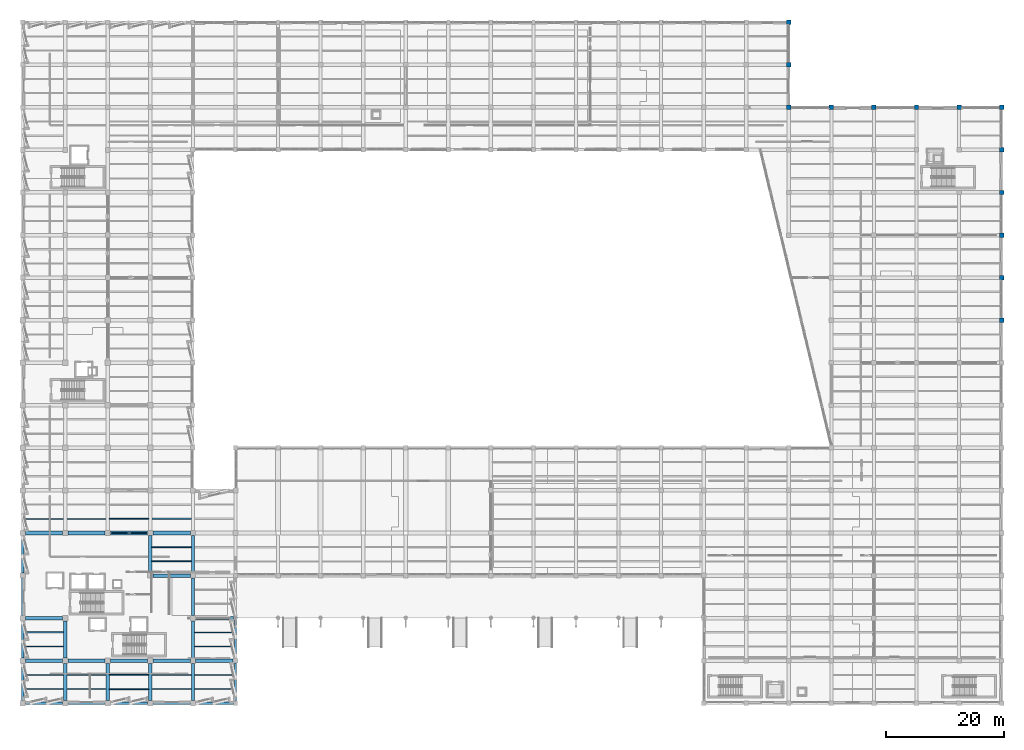
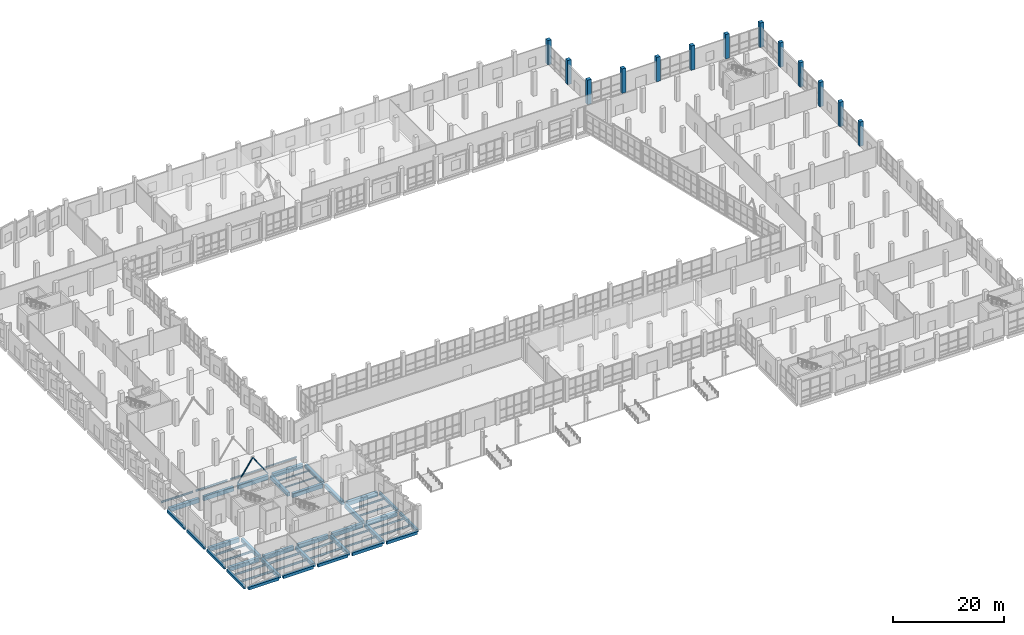
# One storey, part 8 of 137: 52 beams, 13 columns, 2 members.
"""IFC4 building model written with IfcOpenShell, lengths in metres."""

import ifcopenshell
import ifcopenshell.guid

model = None  # the IFC model being written
_history = None  # IfcOwnerHistory: only IFC2X3 demands one
_inside = {}  # id of a spatial element -> (the spatial element, [elements in it])
_under = {}  # id of a project, library or spatial element -> (it, [spatial elements below it])
_declared = {}  # id of a project -> (the project, [libraries it declares])
_typed = {}  # id of a type object -> (the type object, [elements of that type])
_made_of = {}  # id of a material, layer set ... -> (it, [elements and type objects made of it])


def new_model(schema):
    """Start an empty IFC model of exactly this schema.

    Asked for "IFC4X3", IfcOpenShell would pick the latest addendum, in which some entities
    have other attributes; the version numbers below select the first issue.
    IFC2X3 requires an IfcOwnerHistory on every rooted entity: one is made here for all.
    """
    global model, _history
    if schema == "IFC4X3":
        model = ifcopenshell.file(schema_version=(4, 3, 0, 0))
    else:
        model = ifcopenshell.file(schema=schema)
    _inside.clear()
    _under.clear()
    _declared.clear()
    _typed.clear()
    _made_of.clear()
    _history = None
    if model.schema == "IFC2X3":
        org = make("IfcOrganization", Name="unknown")
        user = make(
            "IfcPersonAndOrganization",
            ThePerson=make("IfcPerson", FamilyName="unknown"),
            TheOrganization=org,
        )
        app = make(
            "IfcApplication",
            ApplicationDeveloper=org,
            Version="unknown",
            ApplicationFullName="unknown",
            ApplicationIdentifier="unknown",
        )
        _history = make(
            "IfcOwnerHistory",
            OwningUser=user,
            OwningApplication=app,
            ChangeAction="ADDED",
            CreationDate=0,
        )
    return model


def make(cls, **values):
    """One entity of the class cls with the attributes given. An attribute that is None is left unset."""
    return model.create_entity(
        cls, **{name: value for name, value in values.items() if value is not None}
    )


def rooted(cls, **values):
    """An entity with a GlobalId (a new one), such as an element, a storey or a relation."""
    return make(cls, GlobalId=ifcopenshell.guid.new(), OwnerHistory=_history, **values)


def si_unit(unit_type, name, prefix=None):
    """IfcSIUnit, for example si_unit("LENGTHUNIT", "METRE", prefix="MILLI")."""
    return make("IfcSIUnit", UnitType=unit_type, Prefix=prefix, Name=name)


def assignment(units):
    """IfcUnitAssignment: the units of a project."""
    return None if units is None else make("IfcUnitAssignment", Units=units)


def point(xyz):
    """IfcCartesianPoint."""
    return None if xyz is None else make("IfcCartesianPoint", Coordinates=xyz)


def direction(xyz):
    """IfcDirection."""
    return None if xyz is None else make("IfcDirection", DirectionRatios=xyz)


def frame(location, z_axis=None, x_axis=None):
    """IfcAxis2Placement3D, a coordinate frame: its origin and axes. An axis left out is left unset."""
    return make(
        "IfcAxis2Placement3D",
        Location=point(location),
        Axis=direction(z_axis),
        RefDirection=direction(x_axis),
    )


def frame_2d(location, x_axis=None):
    """IfcAxis2Placement2D, a coordinate frame in the plane: its origin and x axis."""
    return make(
        "IfcAxis2Placement2D", Location=point(location), RefDirection=direction(x_axis)
    )


def origin():
    """The frame at (0, 0, 0) with its axes left unset."""
    return frame((0.0, 0.0, 0.0))


def origin_2d():
    """The frame at (0, 0) in the plane with its x axis left unset."""
    return frame_2d((0.0, 0.0))


def place(relative_to, where):
    """IfcLocalPlacement: puts the frame where relative to a parent placement (None: the world)."""
    return make(
        "IfcLocalPlacement", PlacementRelTo=relative_to, RelativePlacement=where
    )


def context(
    kind, dimensions, precision=None, world=None, true_north=None, identifier=None
):
    """IfcGeometricRepresentationContext, for example the 3D "Model" context."""
    return make(
        "IfcGeometricRepresentationContext",
        ContextIdentifier=identifier,
        ContextType=kind,
        CoordinateSpaceDimension=dimensions,
        Precision=precision,
        WorldCoordinateSystem=world,
        TrueNorth=true_north,
    )


def subcontext(parent, identifier, kind, view, scale=None):
    """IfcGeometricRepresentationSubContext, for example "Body" below "Model"."""
    return make(
        "IfcGeometricRepresentationSubContext",
        ContextIdentifier=identifier,
        ContextType=kind,
        ParentContext=parent,
        TargetScale=scale,
        TargetView=view,
    )


def project(units=None, contexts=None):
    """IfcProject with its units and contexts."""
    return rooted(
        "IfcProject",
        Name="project",
        RepresentationContexts=contexts,
        UnitsInContext=assignment(units),
    )


def spatial(cls, under=None, at=None, **own):
    """A site, building, storey or space (cls), placed at a placement, below another one or the project."""
    s = rooted(cls, ObjectPlacement=at, **own)
    if under is not None:
        _under.setdefault(under.id(), (under, []))[1].append(s)
    return s


def profile(cls, at=None, kind="AREA", **sizes):
    """A parametric profile (cls). Its sizes go by their IFC names, for example OverallWidth=200.0."""
    return make(cls, ProfileType=kind, Position=at, **sizes)


def rectangle(**sizes):
    """IfcRectangleProfileDef."""
    return profile("IfcRectangleProfileDef", **sizes)


def hollow_rectangle(**sizes):
    """IfcRectangleHollowProfileDef."""
    return profile("IfcRectangleHollowProfileDef", **sizes)


def i_section(**sizes):
    """IfcIShapeProfileDef."""
    return profile("IfcIShapeProfileDef", **sizes)


def extrude(swept, where, along, depth):
    """IfcExtrudedAreaSolid: the profile swept, set in the frame where, extruded along a direction by depth."""
    return make(
        "IfcExtrudedAreaSolid",
        SweptArea=swept,
        Position=where,
        ExtrudedDirection=direction(along),
        Depth=depth,
    )


def shape(context_of_items, identifier, shape_type, items):
    """IfcShapeRepresentation: the items that make up one representation, for example the "Body"."""
    return make(
        "IfcShapeRepresentation",
        ContextOfItems=context_of_items,
        RepresentationIdentifier=identifier,
        RepresentationType=shape_type,
        Items=items,
    )


def material(Name=None, Category=None):
    """IfcMaterial."""
    return make("IfcMaterial", Name=Name, Category=Category)


def material_profile(
    of_material, cross_section, Name=None, Category=None, Priority=None
):
    """IfcMaterialProfile: a cross section and its material."""
    return make(
        "IfcMaterialProfile",
        Name=Name,
        Material=of_material,
        Profile=cross_section,
        Priority=Priority,
        Category=Category,
    )


def profile_set(profiles, Name=None, composite=None):
    """IfcMaterialProfileSet."""
    return make(
        "IfcMaterialProfileSet",
        Name=Name,
        MaterialProfiles=profiles,
        CompositeProfile=composite,
    )


def made_of(thing, what):
    """Note that an element or type object is made of a material, layer set ...; save() writes the relation."""
    if what is not None:
        _made_of.setdefault(what.id(), (what, []))[1].append(thing)
    return thing


def type_object(cls, material=None, **own):
    """A type object (cls), such as IfcWallType, which elements share."""
    return made_of(rooted(cls, **own), material)


def element(
    cls,
    number,
    at=None,
    inside=None,
    cuts=None,
    type_object=None,
    material=None,
    context=None,
    identifier="Body",
    shape_type=None,
    held_by="IfcProductDefinitionShape",
    body=None,
    shapes=None,
    **own,
):
    """One element of the class cls, such as IfcWall. Its Tag is "e" and its number.

    at: its placement. inside: the storey or other place that contains it. cuts: it is an
    opening in that element (IfcRelVoidsElement). A single representation is given by context,
    identifier, shape_type and body (its items); several are given by shapes. held_by: the class
    of the entity that holds the representations. save() writes the other relations.
    """
    e = rooted(cls, Tag="e%d" % number, ObjectPlacement=at, **own)
    if body is not None:
        shapes = [shape(context, identifier, shape_type, body)]
    if shapes is not None:
        e.Representation = make(held_by, Representations=shapes)
    if inside is not None:
        _inside.setdefault(inside.id(), (inside, []))[1].append(e)
    if cuts is not None:
        rooted(
            "IfcRelVoidsElement", RelatingBuildingElement=cuts, RelatedOpeningElement=e
        )
    if type_object is not None:
        _typed.setdefault(type_object.id(), (type_object, []))[1].append(e)
    return made_of(e, material)


def aggregate(whole, parts):
    """IfcRelAggregates: a whole, such as a stair, and the parts it consists of."""
    return rooted("IfcRelAggregates", RelatingObject=whole, RelatedObjects=parts)


def save(model, path):
    """Write the relations noted so far, then the file.

    IfcRelAggregates (storeys below a building ...), IfcRelContainedInSpatialStructure (elements
    in a storey), IfcRelDefinesByType, IfcRelAssociatesMaterial and IfcRelDeclares: one each for
    every whole, place, type object, material and project.
    """
    for whole, parts in _under.values():
        aggregate(whole, parts)
    for where, things in _inside.values():
        rooted(
            "IfcRelContainedInSpatialStructure",
            RelatedElements=things,
            RelatingStructure=where,
        )
    for kind, things in _typed.values():
        rooted("IfcRelDefinesByType", RelatedObjects=things, RelatingType=kind)
    for what, things in _made_of.values():
        rooted("IfcRelAssociatesMaterial", RelatedObjects=things, RelatingMaterial=what)
    for by, libraries in _declared.values():
        rooted("IfcRelDeclares", RelatingContext=by, RelatedDefinitions=libraries)
    model.write(path)


model = new_model("IFC4")

# Units and contexts
model_context = context("Model", 3, precision=1e-05, world=origin(), true_north=direction((0.0, 1.0)))
body_context = subcontext(model_context, "Body", "Model", "MODEL_VIEW")
ifc_project = project(units=[si_unit("LENGTHUNIT", "METRE"), si_unit("AREAUNIT", "SQUARE_METRE"), si_unit("VOLUMEUNIT", "CUBIC_METRE"), si_unit("PLANEANGLEUNIT", "RADIAN"), si_unit("MASSUNIT", "GRAM", prefix="KILO")], contexts=[model_context])

# Site, building, storey
site_placement = place(None, origin())
site = spatial("IfcSite", under=ifc_project, at=site_placement, CompositionType="ELEMENT")
building_placement = place(site_placement, origin())
building = spatial("IfcBuilding", under=site, at=building_placement, Name="Kalmorath City Hall", CompositionType="ELEMENT")
storey_placement = place(building_placement, origin())
storey = spatial("IfcBuildingStorey", under=building, at=storey_placement, Name="L00", CompositionType="ELEMENT", Elevation=0.0)

# Columns
ifc_material_1 = material(Name="Concrete C50/60", Category="concrete")
ifc_material_profile_1 = material_profile(ifc_material_1, rectangle(XDim=0.75, YDim=0.75, at=origin_2d()), Name="RC-COL-750X750")
ifc_profile_set_1 = profile_set([ifc_material_profile_1], Name="Concrete C50/60")
column_type = type_object("IfcColumnType", Name="Concrete column 750x750", PredefinedType="COLUMN", material=ifc_profile_set_1)
for number, where, z_axis, x_axis, name in (
    (1, (129.60009765625, 100.800048828125, 0.0), (0.0, 0.0, 1.0), (1.0, 0.0, 0.0), "L00 column C3 (19/15)"),
    (2, (129.60009765625, 108.0, 0.0), (0.0, 0.0, 1.0), (1.0, 0.0, 0.0), "L00 column C3 (19/16)"),
    (3, (129.60009765625, 115.199951171875, 0.0), (0.0, 0.0, 1.0), (1.0, 0.0, 0.0), "L00 column C3 (19/17)"),
    (4, (136.800048828125, 100.800048828125, 0.0), (0.0, 0.0, 1.0), (1.0, 0.0, 0.0), "L00 column C3 (20/15)"),
    (5, (144.0, 100.800048828125, 0.0), (0.0, 0.0, 1.0), (1.0, 0.0, 0.0), "L00 column C3 (21/15)"),
    (6, (151.199951171875, 100.800048828125, 0.0), (0.0, 0.0, 1.0), (1.0, 0.0, 0.0), "L00 column C3 (22/15)"),
    (7, (158.39990234375, 100.800048828125, 0.0), (0.0, 0.0, 1.0), (1.0, 0.0, 0.0), "L00 column C3 (23/15)"),
    (8, (165.60009765625, 64.800048828125, 0.0), (0.0, 0.0, 1.0), (1.0, 0.0, 0.0), "L00 column C3 (24/10)"),
    (9, (165.60009765625, 72.0, 0.0), (0.0, 0.0, 1.0), (1.0, 0.0, 0.0), "L00 column C3 (24/11)"),
    (10, (165.60009765625, 79.199951171875, 0.0), (0.0, 0.0, 1.0), (1.0, 0.0, 0.0), "L00 column C3 (24/12)"),
    (11, (165.60009765625, 86.39990234375, 0.0), (0.0, 0.0, 1.0), (1.0, 0.0, 0.0), "L00 column C3 (24/13)"),
    (12, (165.60009765625, 93.60009765625, 0.0), (0.0, 0.0, 1.0), (1.0, 0.0, 0.0), "L00 column C3 (24/14)"),
    (13, (165.60009765625, 100.800048828125, 0.0), (0.0, 0.0, 1.0), (1.0, 0.0, 0.0), "L00 column C3 (24/15)"),
):
    element("IfcColumn", number, at=place(storey_placement, frame(where, z_axis=z_axis, x_axis=x_axis)), inside=storey, type_object=column_type, Name=name, PredefinedType="COLUMN", context=body_context, shape_type="SweptSolid", body=[
        extrude(rectangle(XDim=0.75, YDim=0.75, at=origin_2d()), origin(), (0.0, 0.0, 1.0), 5.39990234375),
    ])

# Beams
ifc_material_2 = material(Name="Concrete C40/50", Category="concrete")
ifc_material_profile_2 = material_profile(ifc_material_2, rectangle(XDim=0.39990234375, YDim=0.60009765625, at=origin_2d()), Name="RC-BM-400X600")
ifc_profile_set_2 = profile_set([ifc_material_profile_2], Name="Concrete C40/50")
beam_type_1 = type_object("IfcBeamType", Name="Concrete edge beam 400x600", PredefinedType="SPANDREL", material=ifc_profile_set_2)
for number, where, z_axis, x_axis, name in (
    (14, (0.0, 0.449951171875, -0.60400390625), (0.0, 1.0, 0.0), (-1.0, 0.0, 0.0), "L00 girder CB6 Y1/1-2"),
    (15, (0.0, 7.64990234375, -0.60400390625), (0.0, 1.0, 0.0), (-1.0, 0.0, 0.0), "L00 girder CB6 Y1/2-3"),
):
    element("IfcBeam", number, at=place(storey_placement, frame(where, z_axis=z_axis, x_axis=x_axis)), inside=storey, type_object=beam_type_1, Name=name, PredefinedType="SPANDREL", context=body_context, shape_type="SweptSolid", body=[
        extrude(rectangle(XDim=0.39990234375, YDim=0.60009765625, at=origin_2d()), origin(), (0.0, 0.0, 1.0), 6.300048828125),
    ])
beam_1_placement = place(storey_placement, frame((0.0, 14.85009765625, -0.60400390625), z_axis=(0.0, 1.0, 0.0), x_axis=(-1.0, 0.0, 0.0)))
element("IfcBeam", 16, at=beam_1_placement, inside=storey, type_object=beam_type_1, Name="L00 girder CB6 Y1/3-4", PredefinedType="SPANDREL", context=body_context, shape_type="SweptSolid", body=[
    extrude(rectangle(XDim=0.39990234375, YDim=0.60009765625, at=origin_2d()), origin(), (0.0, 0.0, 1.0), 6.2998046875),
])
beam_2_placement = place(storey_placement, frame((0.0, 22.050048828125, -0.60400390625), z_axis=(0.0, 1.0, 0.0), x_axis=(-1.0, 0.0, 0.0)))
element("IfcBeam", 17, at=beam_2_placement, inside=storey, type_object=beam_type_1, Name="L00 girder CB6 Y1/4-5", PredefinedType="SPANDREL", context=body_context, shape_type="SweptSolid", body=[
    extrude(rectangle(XDim=0.39990234375, YDim=0.60009765625, at=origin_2d()), origin(), (0.0, 0.0, 1.0), 6.300048828125),
])
beam_3_placement = place(storey_placement, frame((36.0, 0.375, -0.60400390625), z_axis=(0.0, 1.0, 0.0), x_axis=(-1.0, 0.0, 0.0)))
element("IfcBeam", 18, at=beam_3_placement, inside=storey, type_object=beam_type_1, Name="L00 girder CB6 Y6/1-2", PredefinedType="SPANDREL", context=body_context, shape_type="SweptSolid", body=[
    extrude(rectangle(XDim=0.39990234375, YDim=0.60009765625, at=origin_2d()), origin(), (0.0, 0.0, 1.0), 6.425048828125),
])
beam_4_placement = place(storey_placement, frame((36.0, 7.60009765625, -0.60400390625), z_axis=(0.0, 1.0, 0.0), x_axis=(-1.0, 0.0, 0.0)))
element("IfcBeam", 19, at=beam_4_placement, inside=storey, type_object=beam_type_1, Name="L00 girder CB6 Y6/2-3", PredefinedType="SPANDREL", context=body_context, shape_type="SweptSolid", body=[
    extrude(rectangle(XDim=0.39990234375, YDim=0.60009765625, at=origin_2d()), origin(), (0.0, 0.0, 1.0), 6.449951171875),
])
ifc_material_3 = material(Name="Concrete C40/50", Category="concrete")
ifc_material_profile_3 = material_profile(ifc_material_3, rectangle(XDim=0.550048828125, YDim=0.800048828125, at=origin_2d()), Name="RC-BM-550X800")
ifc_profile_set_3 = profile_set([ifc_material_profile_3], Name="Concrete C40/50")
beam_type_2 = type_object("IfcBeamType", Name="Concrete floor girder 550x800", PredefinedType="BEAM", material=ifc_profile_set_3)
for number, where, z_axis, x_axis, name in (
    (20, (7.199951171875, 0.449951171875, -0.7041015625), (0.0, 1.0, 0.0), (-1.0, 0.0, 0.0), "L00 girder CB2 Y2/1-2"),
    (21, (7.199951171875, 7.64990234375, -0.7041015625), (0.0, 1.0, 0.0), (-1.0, 0.0, 0.0), "L00 girder CB2 Y2/2-3"),
    (22, (14.39990234375, 0.449951171875, -0.7041015625), (0.0, 1.0, 0.0), (-1.0, 0.0, 0.0), "L00 girder CB2 Y3/1-2"),
    (23, (21.60009765625, 0.449951171875, -0.7041015625), (0.0, 1.0, 0.0), (-1.0, 0.0, 0.0), "L00 girder CB2 Y4/1-2"),
    (24, (21.60009765625, 22.050048828125, -0.7041015625), (0.0, 1.0, 0.0), (-1.0, 0.0, 0.0), "L00 girder CB2 Y4/4-5"),
    (25, (28.800048828125, 0.449951171875, -0.7041015625), (0.0, 1.0, 0.0), (-1.0, 0.0, 0.0), "L00 girder CB2 Y5/1-2"),
    (26, (28.800048828125, 7.64990234375, -0.7041015625), (0.0, 1.0, 0.0), (-1.0, 0.0, 0.0), "L00 girder CB2 Y5/2-3"),
):
    element("IfcBeam", number, at=place(storey_placement, frame(where, z_axis=z_axis, x_axis=x_axis)), inside=storey, type_object=beam_type_2, Name=name, PredefinedType="BEAM", context=body_context, shape_type="SweptSolid", body=[
        extrude(rectangle(XDim=0.550048828125, YDim=0.800048828125, at=origin_2d()), origin(), (0.0, 0.0, 1.0), 6.300048828125),
    ])
beam_5_placement = place(storey_placement, frame((28.800048828125, 14.85009765625, -0.7041015625), z_axis=(0.0, 1.0, 0.0), x_axis=(-1.0, 0.0, 0.0)))
element("IfcBeam", 27, at=beam_5_placement, inside=storey, type_object=beam_type_2, Name="L00 girder CB2 Y5/3-4", PredefinedType="BEAM", context=body_context, shape_type="SweptSolid", body=[
    extrude(rectangle(XDim=0.550048828125, YDim=0.800048828125, at=origin_2d()), origin(), (0.0, 0.0, 1.0), 6.2998046875),
])
beam_6_placement = place(storey_placement, frame((28.800048828125, 22.050048828125, -0.7041015625), z_axis=(0.0, 1.0, 0.0), x_axis=(-1.0, 0.0, 0.0)))
element("IfcBeam", 28, at=beam_6_placement, inside=storey, type_object=beam_type_2, Name="L00 girder CB2 Y5/4-5", PredefinedType="BEAM", context=body_context, shape_type="SweptSolid", body=[
    extrude(rectangle(XDim=0.550048828125, YDim=0.800048828125, at=origin_2d()), origin(), (0.0, 0.0, 1.0), 6.300048828125),
])
ifc_material_4 = material(Name="Concrete C40/50", Category="concrete")
ifc_material_profile_4 = material_profile(ifc_material_4, rectangle(XDim=0.60009765625, YDim=0.89990234375, at=origin_2d()), Name="RC-BM-600X900")
ifc_profile_set_4 = profile_set([ifc_material_profile_4], Name="Concrete C40/50")
beam_type_3 = type_object("IfcBeamType", Name="Concrete floor girder 600x900", PredefinedType="BEAM", material=ifc_profile_set_4)
for number, where, z_axis, x_axis, name in (
    (29, (0.449951171875, 7.199951171875, -0.75390625), (1.0, 0.0, 0.0), (0.0, 1.0, 0.0), "L00 girder CB1 X1-2/2"),
    (30, (7.64990234375, 7.199951171875, -0.75390625), (1.0, 0.0, 0.0), (0.0, 1.0, 0.0), "L00 girder CB1 X2-3/2"),
):
    element("IfcBeam", number, at=place(storey_placement, frame(where, z_axis=z_axis, x_axis=x_axis)), inside=storey, type_object=beam_type_3, Name=name, PredefinedType="BEAM", context=body_context, shape_type="SweptSolid", body=[
        extrude(rectangle(XDim=0.60009765625, YDim=0.89990234375, at=origin_2d()), origin(), (0.0, 0.0, 1.0), 6.300048828125),
    ])
beam_7_placement = place(storey_placement, frame((14.85009765625, 7.199951171875, -0.75390625), z_axis=(1.0, 0.0, 0.0), x_axis=(0.0, 1.0, 0.0)))
element("IfcBeam", 31, at=beam_7_placement, inside=storey, type_object=beam_type_3, Name="L00 girder CB1 X3-4/2", PredefinedType="BEAM", context=body_context, shape_type="SweptSolid", body=[
    extrude(rectangle(XDim=0.60009765625, YDim=0.89990234375, at=origin_2d()), origin(), (0.0, 0.0, 1.0), 6.2998046875),
])
beam_8_placement = place(storey_placement, frame((22.050048828125, 7.199951171875, -0.75390625), z_axis=(1.0, 0.0, 0.0), x_axis=(0.0, 1.0, 0.0)))
element("IfcBeam", 32, at=beam_8_placement, inside=storey, type_object=beam_type_3, Name="L00 girder CB1 X4-5/2", PredefinedType="BEAM", context=body_context, shape_type="SweptSolid", body=[
    extrude(rectangle(XDim=0.60009765625, YDim=0.89990234375, at=origin_2d()), origin(), (0.0, 0.0, 1.0), 6.300048828125),
])
beam_9_placement = place(storey_placement, frame((29.25, 7.199951171875, -0.75390625), z_axis=(1.0, 0.0, 0.0), x_axis=(0.0, 1.0, 0.0)))
element("IfcBeam", 33, at=beam_9_placement, inside=storey, type_object=beam_type_3, Name="L00 girder CB1 X5-6/2", PredefinedType="BEAM", context=body_context, shape_type="SweptSolid", body=[
    extrude(rectangle(XDim=0.60009765625, YDim=0.89990234375, at=origin_2d()), origin(), (0.0, 0.0, 1.0), 6.35009765625),
])
beam_10_placement = place(storey_placement, frame((0.449951171875, 14.39990234375, -0.75390625), z_axis=(1.0, 0.0, 0.0), x_axis=(0.0, 1.0, 0.0)))
element("IfcBeam", 34, at=beam_10_placement, inside=storey, type_object=beam_type_3, Name="L00 girder CB1 X1-2/3", PredefinedType="BEAM", context=body_context, shape_type="SweptSolid", body=[
    extrude(rectangle(XDim=0.60009765625, YDim=0.89990234375, at=origin_2d()), origin(), (0.0, 0.0, 1.0), 6.300048828125),
])
beam_11_placement = place(storey_placement, frame((29.25, 14.39990234375, -0.75390625), z_axis=(1.0, 0.0, 0.0), x_axis=(0.0, 1.0, 0.0)))
element("IfcBeam", 35, at=beam_11_placement, inside=storey, type_object=beam_type_3, Name="L00 girder CB1 X5-6/3", PredefinedType="BEAM", context=body_context, shape_type="SweptSolid", body=[
    extrude(rectangle(XDim=0.60009765625, YDim=0.89990234375, at=origin_2d()), origin(), (0.0, 0.0, 1.0), 6.39990234375),
])
for number, where, z_axis, x_axis, name in (
    (36, (22.050048828125, 21.60009765625, -0.75390625), (1.0, 0.0, 0.0), (0.0, 1.0, 0.0), "L00 girder CB1 X4-5/4"),
    (37, (0.449951171875, 28.800048828125, -0.75390625), (1.0, 0.0, 0.0), (0.0, 1.0, 0.0), "L00 girder CB1 X1-2/5"),
    (38, (7.64990234375, 28.800048828125, -0.75390625), (1.0, 0.0, 0.0), (0.0, 1.0, 0.0), "L00 girder CB1 X2-3/5"),
):
    element("IfcBeam", number, at=place(storey_placement, frame(where, z_axis=z_axis, x_axis=x_axis)), inside=storey, type_object=beam_type_3, Name=name, PredefinedType="BEAM", context=body_context, shape_type="SweptSolid", body=[
        extrude(rectangle(XDim=0.60009765625, YDim=0.89990234375, at=origin_2d()), origin(), (0.0, 0.0, 1.0), 6.300048828125),
    ])
beam_12_placement = place(storey_placement, frame((14.85009765625, 28.800048828125, -0.75390625), z_axis=(1.0, 0.0, 0.0), x_axis=(0.0, 1.0, 0.0)))
element("IfcBeam", 39, at=beam_12_placement, inside=storey, type_object=beam_type_3, Name="L00 girder CB1 X3-4/5", PredefinedType="BEAM", context=body_context, shape_type="SweptSolid", body=[
    extrude(rectangle(XDim=0.60009765625, YDim=0.89990234375, at=origin_2d()), origin(), (0.0, 0.0, 1.0), 6.2998046875),
])
beam_13_placement = place(storey_placement, frame((22.050048828125, 28.800048828125, -0.75390625), z_axis=(1.0, 0.0, 0.0), x_axis=(0.0, 1.0, 0.0)))
element("IfcBeam", 40, at=beam_13_placement, inside=storey, type_object=beam_type_3, Name="L00 girder CB1 X4-5/5", PredefinedType="BEAM", context=body_context, shape_type="SweptSolid", body=[
    extrude(rectangle(XDim=0.60009765625, YDim=0.89990234375, at=origin_2d()), origin(), (0.0, 0.0, 1.0), 6.300048828125),
])
ifc_material_5 = material(Name="Concrete C40/50", Category="concrete")
ifc_material_profile_5 = material_profile(ifc_material_5, rectangle(XDim=0.449951171875, YDim=0.64990234375, at=origin_2d()), Name="RC-BM-450X650")
ifc_profile_set_5 = profile_set([ifc_material_profile_5], Name="Concrete C40/50")
beam_type_4 = type_object("IfcBeamType", Name="Concrete spandrel beam 450x650", PredefinedType="SPANDREL", material=ifc_profile_set_5)
for number, where, z_axis, x_axis, name in (
    (41, (0.449951171875, 0.0, -0.62890625), (1.0, 0.0, 0.0), (0.0, 1.0, 0.0), "L00 girder CB5 X1-2/1"),
    (42, (7.64990234375, 0.0, -0.62890625), (1.0, 0.0, 0.0), (0.0, 1.0, 0.0), "L00 girder CB5 X2-3/1"),
):
    element("IfcBeam", number, at=place(storey_placement, frame(where, z_axis=z_axis, x_axis=x_axis)), inside=storey, type_object=beam_type_4, Name=name, PredefinedType="SPANDREL", context=body_context, shape_type="SweptSolid", body=[
        extrude(rectangle(XDim=0.449951171875, YDim=0.64990234375, at=origin_2d()), origin(), (0.0, 0.0, 1.0), 6.300048828125),
    ])
beam_14_placement = place(storey_placement, frame((14.85009765625, 0.0, -0.62890625), z_axis=(1.0, 0.0, 0.0), x_axis=(0.0, 1.0, 0.0)))
element("IfcBeam", 43, at=beam_14_placement, inside=storey, type_object=beam_type_4, Name="L00 girder CB5 X3-4/1", PredefinedType="SPANDREL", context=body_context, shape_type="SweptSolid", body=[
    extrude(rectangle(XDim=0.449951171875, YDim=0.64990234375, at=origin_2d()), origin(), (0.0, 0.0, 1.0), 6.2998046875),
])
beam_15_placement = place(storey_placement, frame((22.050048828125, 0.0, -0.62890625), z_axis=(1.0, 0.0, 0.0), x_axis=(0.0, 1.0, 0.0)))
element("IfcBeam", 44, at=beam_15_placement, inside=storey, type_object=beam_type_4, Name="L00 girder CB5 X4-5/1", PredefinedType="SPANDREL", context=body_context, shape_type="SweptSolid", body=[
    extrude(rectangle(XDim=0.449951171875, YDim=0.64990234375, at=origin_2d()), origin(), (0.0, 0.0, 1.0), 6.300048828125),
])
beam_16_placement = place(storey_placement, frame((29.25, 0.0, -0.62890625), z_axis=(1.0, 0.0, 0.0), x_axis=(0.0, 1.0, 0.0)))
element("IfcBeam", 45, at=beam_16_placement, inside=storey, type_object=beam_type_4, Name="L00 girder CB5 X5-6/1", PredefinedType="SPANDREL", context=body_context, shape_type="SweptSolid", body=[
    extrude(rectangle(XDim=0.449951171875, YDim=0.64990234375, at=origin_2d()), origin(), (0.0, 0.0, 1.0), 6.375),
])
ifc_material_6 = material(Name="Steel ASTM A992 Grade 50", Category="steel")
ifc_material_profile_6 = material_profile(ifc_material_6, i_section(OverallWidth=0.177001953125, OverallDepth=0.403076171875, WebThickness=0.007568359375, FlangeThickness=0.010986328125, FilletRadius=0.012939453125, at=origin_2d()), Name="W16X36")
ifc_profile_set_6 = profile_set([ifc_material_profile_6], Name="Steel ASTM A992 Grade 50")
beam_type_5 = type_object("IfcBeamType", Name="Steel composite joist W16X36", PredefinedType="JOIST", material=ifc_profile_set_6)
beam_17_placement = place(storey_placement, frame((7.47509765625, 31.199951171875, -0.505615234375), z_axis=(1.0, 0.0, 0.0), x_axis=(0.0, 1.0, 0.0)))
element("IfcBeam", 46, at=beam_17_placement, inside=storey, type_object=beam_type_5, Name="L00 joist SJ7 2.5.1", PredefinedType="JOIST", context=body_context, shape_type="SweptSolid", body=[
    extrude(i_section(OverallWidth=0.177001953125, OverallDepth=0.403076171875, WebThickness=0.007568359375, FlangeThickness=0.010986328125, FilletRadius=0.012939453125, at=origin_2d()), origin(), (0.0, 0.0, 1.0), 6.64990234375),
])
for number, where, z_axis, x_axis, name in (
    (47, (29.074951171875, 9.60009765625, -0.505615234375), (1.0, 0.0, 0.0), (0.0, 1.0, 0.0), "L00 joist SJ7 5.2.1"),
    (48, (29.074951171875, 12.0, -0.505615234375), (1.0, 0.0, 0.0), (0.0, 1.0, 0.0), "L00 joist SJ7 5.2.2"),
):
    element("IfcBeam", number, at=place(storey_placement, frame(where, z_axis=z_axis, x_axis=x_axis)), inside=storey, type_object=beam_type_5, Name=name, PredefinedType="JOIST", context=body_context, shape_type="SweptSolid", body=[
        extrude(i_section(OverallWidth=0.177001953125, OverallDepth=0.403076171875, WebThickness=0.007568359375, FlangeThickness=0.010986328125, FilletRadius=0.012939453125, at=origin_2d()), origin(), (0.0, 0.0, 1.0), 6.72509765625),
    ])
ifc_material_7 = material(Name="Steel ASTM A992 Grade 50", Category="steel")
ifc_material_profile_7 = material_profile(ifc_material_7, i_section(OverallWidth=0.178955078125, OverallDepth=0.409912109375, WebThickness=0.0087890625, FlangeThickness=0.014404296875, FilletRadius=0.012939453125, at=origin_2d()), Name="W16X45")
ifc_profile_set_7 = profile_set([ifc_material_profile_7], Name="Steel ASTM A992 Grade 50")
beam_type_6 = type_object("IfcBeamType", Name="Steel composite joist W16X45", PredefinedType="JOIST", material=ifc_profile_set_7)
for number, where, z_axis, x_axis, name in (
    (49, (0.199951171875, 31.199951171875, -0.509033203125), (1.0, 0.0, 0.0), (0.0, 1.0, 0.0), "L00 joist SJ6 1.5.1"),
    (50, (29.074951171875, 2.39990234375, -0.509033203125), (1.0, 0.0, 0.0), (0.0, 1.0, 0.0), "L00 joist SJ6 5.1.1"),
    (51, (29.074951171875, 4.800048828125, -0.509033203125), (1.0, 0.0, 0.0), (0.0, 1.0, 0.0), "L00 joist SJ6 5.1.2"),
):
    element("IfcBeam", number, at=place(storey_placement, frame(where, z_axis=z_axis, x_axis=x_axis)), inside=storey, type_object=beam_type_6, Name=name, PredefinedType="JOIST", context=body_context, shape_type="SweptSolid", body=[
        extrude(i_section(OverallWidth=0.178955078125, OverallDepth=0.409912109375, WebThickness=0.0087890625, FlangeThickness=0.014404296875, FilletRadius=0.012939453125, at=origin_2d()), origin(), (0.0, 0.0, 1.0), 6.72509765625),
    ])
ifc_material_8 = material(Name="Steel ASTM A992 Grade 50", Category="steel")
ifc_material_profile_8 = material_profile(ifc_material_8, i_section(OverallWidth=0.180908203125, OverallDepth=0.4169921875, WebThickness=0.010986328125, FlangeThickness=0.018310546875, FilletRadius=0.012939453125, at=origin_2d()), Name="W16X57")
ifc_profile_set_8 = profile_set([ifc_material_profile_8], Name="Steel ASTM A992 Grade 50")
beam_type_7 = type_object("IfcBeamType", Name="Steel composite joist W16X57", PredefinedType="JOIST", material=ifc_profile_set_8)
for number, where, z_axis, x_axis, name in (
    (52, (21.875, 2.39990234375, -0.512451171875), (1.0, 0.0, 0.0), (0.0, 1.0, 0.0), "L00 joist SJ5 4.1.1"),
    (53, (21.875, 4.800048828125, -0.512451171875), (1.0, 0.0, 0.0), (0.0, 1.0, 0.0), "L00 joist SJ5 4.1.2"),
):
    element("IfcBeam", number, at=place(storey_placement, frame(where, z_axis=z_axis, x_axis=x_axis)), inside=storey, type_object=beam_type_7, Name=name, PredefinedType="JOIST", context=body_context, shape_type="SweptSolid", body=[
        extrude(i_section(OverallWidth=0.180908203125, OverallDepth=0.4169921875, WebThickness=0.010986328125, FlangeThickness=0.018310546875, FilletRadius=0.012939453125, at=origin_2d()), origin(), (0.0, 0.0, 1.0), 6.64990234375),
    ])
ifc_material_9 = material(Name="Steel ASTM A992 Grade 50", Category="steel")
ifc_material_profile_9 = material_profile(ifc_material_9, i_section(OverallWidth=0.153076171875, OverallDepth=0.455078125, WebThickness=0.008056640625, FlangeThickness=0.01318359375, FilletRadius=0.013916015625, at=origin_2d()), Name="W18X40")
ifc_profile_set_9 = profile_set([ifc_material_profile_9], Name="Steel ASTM A992 Grade 50")
beam_type_8 = type_object("IfcBeamType", Name="Steel composite joist W18X40", PredefinedType="JOIST", material=ifc_profile_set_9)
for number, where, z_axis, x_axis, name in (
    (54, (14.675048828125, 2.39990234375, -0.531494140625), (1.0, 0.0, 0.0), (0.0, 1.0, 0.0), "L00 joist SJ4 3.1.1"),
    (55, (14.675048828125, 4.800048828125, -0.531494140625), (1.0, 0.0, 0.0), (0.0, 1.0, 0.0), "L00 joist SJ4 3.1.2"),
):
    element("IfcBeam", number, at=place(storey_placement, frame(where, z_axis=z_axis, x_axis=x_axis)), inside=storey, type_object=beam_type_8, Name=name, PredefinedType="JOIST", context=body_context, shape_type="SweptSolid", body=[
        extrude(i_section(OverallWidth=0.153076171875, OverallDepth=0.455078125, WebThickness=0.008056640625, FlangeThickness=0.01318359375, FilletRadius=0.013916015625, at=origin_2d()), origin(), (0.0, 0.0, 1.0), 6.64990234375),
    ])
ifc_material_10 = material(Name="Steel ASTM A992 Grade 50", Category="steel")
ifc_material_profile_10 = material_profile(ifc_material_10, i_section(OverallWidth=0.19091796875, OverallDepth=0.45703125, WebThickness=0.009033203125, FlangeThickness=0.014404296875, FilletRadius=0.013916015625, at=origin_2d()), Name="W18X50")
ifc_profile_set_10 = profile_set([ifc_material_profile_10], Name="Steel ASTM A992 Grade 50")
beam_type_9 = type_object("IfcBeamType", Name="Steel composite joist W18X50", PredefinedType="JOIST", material=ifc_profile_set_10)
for number, where, z_axis, x_axis, name in (
    (56, (0.199951171875, 9.60009765625, -0.532470703125), (1.0, 0.0, 0.0), (0.0, 1.0, 0.0), "L00 joist SJ3 1.2.1"),
    (57, (0.199951171875, 12.0, -0.532470703125), (1.0, 0.0, 0.0), (0.0, 1.0, 0.0), "L00 joist SJ3 1.2.2"),
):
    element("IfcBeam", number, at=place(storey_placement, frame(where, z_axis=z_axis, x_axis=x_axis)), inside=storey, type_object=beam_type_9, Name=name, PredefinedType="JOIST", context=body_context, shape_type="SweptSolid", body=[
        extrude(i_section(OverallWidth=0.19091796875, OverallDepth=0.45703125, WebThickness=0.009033203125, FlangeThickness=0.014404296875, FilletRadius=0.013916015625, at=origin_2d()), origin(), (0.0, 0.0, 1.0), 6.72509765625),
    ])
for number, where, z_axis, x_axis, name in (
    (58, (7.47509765625, 2.39990234375, -0.532470703125), (1.0, 0.0, 0.0), (0.0, 1.0, 0.0), "L00 joist SJ3 2.1.1"),
    (59, (7.47509765625, 4.800048828125, -0.532470703125), (1.0, 0.0, 0.0), (0.0, 1.0, 0.0), "L00 joist SJ3 2.1.2"),
):
    element("IfcBeam", number, at=place(storey_placement, frame(where, z_axis=z_axis, x_axis=x_axis)), inside=storey, type_object=beam_type_9, Name=name, PredefinedType="JOIST", context=body_context, shape_type="SweptSolid", body=[
        extrude(i_section(OverallWidth=0.19091796875, OverallDepth=0.45703125, WebThickness=0.009033203125, FlangeThickness=0.014404296875, FilletRadius=0.013916015625, at=origin_2d()), origin(), (0.0, 0.0, 1.0), 6.64990234375),
    ])
ifc_material_11 = material(Name="Steel ASTM A992 Grade 50", Category="steel")
ifc_material_profile_11 = material_profile(ifc_material_11, i_section(OverallWidth=0.19091796875, OverallDepth=0.4599609375, WebThickness=0.010009765625, FlangeThickness=0.01611328125, FilletRadius=0.013916015625, at=origin_2d()), Name="W18X55")
ifc_profile_set_11 = profile_set([ifc_material_profile_11], Name="Steel ASTM A992 Grade 50")
beam_type_10 = type_object("IfcBeamType", Name="Steel composite joist W18X55", PredefinedType="JOIST", material=ifc_profile_set_11)
for number, where, z_axis, x_axis, name in (
    (60, (0.199951171875, 2.39990234375, -0.533935546875), (1.0, 0.0, 0.0), (0.0, 1.0, 0.0), "L00 joist SJ2 1.1.1"),
    (61, (0.199951171875, 4.800048828125, -0.533935546875), (1.0, 0.0, 0.0), (0.0, 1.0, 0.0), "L00 joist SJ2 1.1.2"),
):
    element("IfcBeam", number, at=place(storey_placement, frame(where, z_axis=z_axis, x_axis=x_axis)), inside=storey, type_object=beam_type_10, Name=name, PredefinedType="JOIST", context=body_context, shape_type="SweptSolid", body=[
        extrude(i_section(OverallWidth=0.19091796875, OverallDepth=0.4599609375, WebThickness=0.010009765625, FlangeThickness=0.01611328125, FilletRadius=0.013916015625, at=origin_2d()), origin(), (0.0, 0.0, 1.0), 6.72509765625),
    ])
ifc_material_12 = material(Name="Steel ASTM A992 Grade 50", Category="steel")
ifc_material_profile_12 = material_profile(ifc_material_12, i_section(OverallWidth=0.1669921875, OverallDepth=0.318115234375, WebThickness=0.007568359375, FlangeThickness=0.01318359375, FilletRadius=0.012939453125, at=origin_2d()), Name="W12X35")
ifc_profile_set_12 = profile_set([ifc_material_profile_12], Name="Steel ASTM A992 Grade 50")
beam_type_11 = type_object("IfcBeamType", Name="Steel header lintel W12X35", PredefinedType="LINTEL", material=ifc_profile_set_12)
for number, where, z_axis, x_axis, name in (
    (62, (14.675048828125, 31.199951171875, -0.462890625), (1.0, 0.0, 0.0), (0.0, 1.0, 0.0), "L00 joist SJ13 3.5.1"),
    (63, (21.875, 24.0, -0.462890625), (1.0, 0.0, 0.0), (0.0, 1.0, 0.0), "L00 joist SJ13 4.4.1"),
    (64, (21.875, 26.39990234375, -0.462890625), (1.0, 0.0, 0.0), (0.0, 1.0, 0.0), "L00 joist SJ13 4.4.2"),
):
    element("IfcBeam", number, at=place(storey_placement, frame(where, z_axis=z_axis, x_axis=x_axis)), inside=storey, type_object=beam_type_11, Name=name, PredefinedType="LINTEL", context=body_context, shape_type="SweptSolid", body=[
        extrude(i_section(OverallWidth=0.1669921875, OverallDepth=0.318115234375, WebThickness=0.007568359375, FlangeThickness=0.01318359375, FilletRadius=0.012939453125, at=origin_2d()), origin(), (0.0, 0.0, 1.0), 6.64990234375),
    ])

# Members
ifc_material_13 = material(Name="Steel ASTM A500 Grade C", Category="steel")
ifc_material_profile_13 = material_profile(ifc_material_13, hollow_rectangle(XDim=0.202880859375, YDim=0.202880859375, WallThickness=0.01171875, InnerFilletRadius=0.01171875, OuterFilletRadius=0.023681640625, at=origin_2d()), Name="HSS203X203X12.7")
ifc_profile_set_13 = profile_set([ifc_material_profile_13], Name="Steel ASTM A500 Grade C")
member_type = type_object("IfcMemberType", Name="Steel seismic chevron brace HSS203X203X12.7", PredefinedType="BRACE", material=ifc_profile_set_13)
for number, where, z_axis, x_axis, name in (
    (65, (14.85009765625, 28.800048828125, 0.0), (0.563315147865, 0.0, 0.826242122012), (0.0, 1.0, 0.0), "L00 chevron brace BR2 1A"),
    (66, (21.14990234375, 28.800048828125, 0.0), (-0.563315147865, 0.0, 0.826242122012), (0.0, -1.0, 0.0), "L00 chevron brace BR2 1B"),
):
    element("IfcMember", number, at=place(storey_placement, frame(where, z_axis=z_axis, x_axis=x_axis)), inside=storey, type_object=member_type, Name=name, PredefinedType="BRACE", context=body_context, shape_type="SweptSolid", body=[
        extrude(hollow_rectangle(XDim=0.202880859375, YDim=0.202880859375, WallThickness=0.01171875, InnerFilletRadius=0.01171875, OuterFilletRadius=0.023681640625, at=origin_2d()), origin(), (0.0, 0.0, 1.0), 5.591796875),
    ])

# Beam
ifc_material_14 = material(Name="Steel ASTM A992 Grade 50", Category="steel")
ifc_material_profile_14 = material_profile(ifc_material_14, i_section(OverallWidth=0.25390625, OverallDepth=0.2529296875, WebThickness=0.008544921875, FlangeThickness=0.01416015625, FilletRadius=0.011962890625, at=origin_2d()), Name="W10X49")
ifc_profile_set_14 = profile_set([ifc_material_profile_14], Name="Steel ASTM A992 Grade 50")
beam_type_12 = type_object("IfcBeamType", Name="Steel trimmer beam W10X49", PredefinedType="BEAM", material=ifc_profile_set_14)
beam_18_placement = place(storey_placement, frame((21.875, 31.199951171875, -0.430419921875), z_axis=(1.0, 0.0, 0.0), x_axis=(0.0, 1.0, 0.0)))
element("IfcBeam", 67, at=beam_18_placement, inside=storey, type_object=beam_type_12, Name="L00 joist SJ14 4.5.1", PredefinedType="BEAM", context=body_context, shape_type="SweptSolid", body=[
    extrude(i_section(OverallWidth=0.25390625, OverallDepth=0.2529296875, WebThickness=0.008544921875, FlangeThickness=0.01416015625, FilletRadius=0.011962890625, at=origin_2d()), origin(), (0.0, 0.0, 1.0), 6.64990234375),
])

save(model, "model.ifc")
